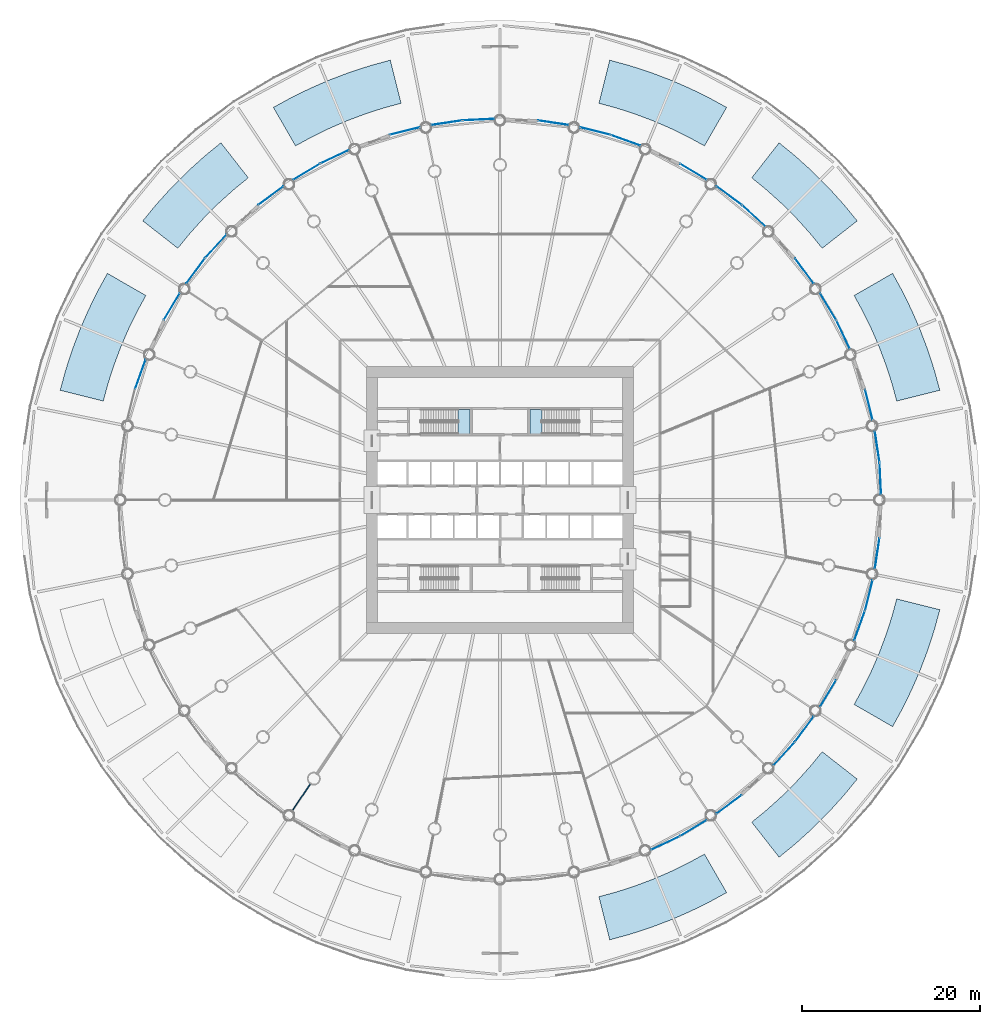
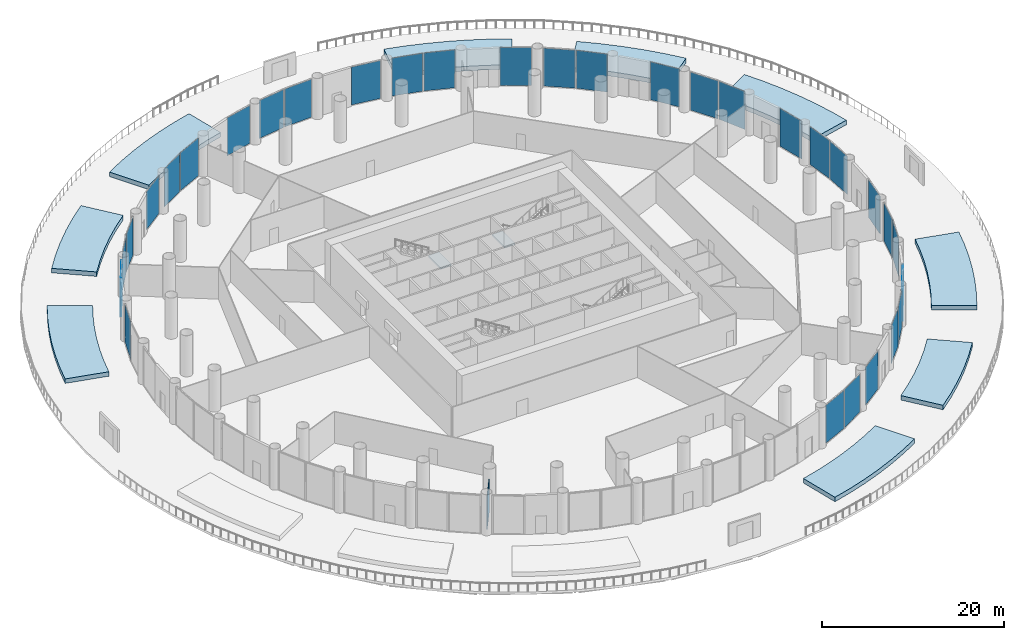
# One storey, part 26 of 36: 31 plates, 11 slabs, 1 wall, 33 elements without a shape of their own.
"""IFC4 building model written with IfcOpenShell, lengths in metres."""

import ifcopenshell
import ifcopenshell.guid

model = None  # the IFC model being written
_history = None  # IfcOwnerHistory: only IFC2X3 demands one
_inside = {}  # id of a spatial element -> (the spatial element, [elements in it])
_under = {}  # id of a project, library or spatial element -> (it, [spatial elements below it])
_declared = {}  # id of a project -> (the project, [libraries it declares])
_typed = {}  # id of a type object -> (the type object, [elements of that type])
_made_of = {}  # id of a material, layer set ... -> (it, [elements and type objects made of it])


def new_model(schema):
    """Start an empty IFC model of exactly this schema.

    Asked for "IFC4X3", IfcOpenShell would pick the latest addendum, in which some entities
    have other attributes; the version numbers below select the first issue.
    IFC2X3 requires an IfcOwnerHistory on every rooted entity: one is made here for all.
    """
    global model, _history
    if schema == "IFC4X3":
        model = ifcopenshell.file(schema_version=(4, 3, 0, 0))
    else:
        model = ifcopenshell.file(schema=schema)
    _inside.clear()
    _under.clear()
    _declared.clear()
    _typed.clear()
    _made_of.clear()
    _history = None
    if model.schema == "IFC2X3":
        org = make("IfcOrganization", Name="unknown")
        user = make(
            "IfcPersonAndOrganization",
            ThePerson=make("IfcPerson", FamilyName="unknown"),
            TheOrganization=org,
        )
        app = make(
            "IfcApplication",
            ApplicationDeveloper=org,
            Version="unknown",
            ApplicationFullName="unknown",
            ApplicationIdentifier="unknown",
        )
        _history = make(
            "IfcOwnerHistory",
            OwningUser=user,
            OwningApplication=app,
            ChangeAction="ADDED",
            CreationDate=0,
        )
    return model


def make(cls, **values):
    """One entity of the class cls with the attributes given. An attribute that is None is left unset."""
    return model.create_entity(
        cls, **{name: value for name, value in values.items() if value is not None}
    )


def rooted(cls, **values):
    """An entity with a GlobalId (a new one), such as an element, a storey or a relation."""
    return make(cls, GlobalId=ifcopenshell.guid.new(), OwnerHistory=_history, **values)


def si_unit(unit_type, name, prefix=None):
    """IfcSIUnit, for example si_unit("LENGTHUNIT", "METRE", prefix="MILLI")."""
    return make("IfcSIUnit", UnitType=unit_type, Prefix=prefix, Name=name)


def assignment(units):
    """IfcUnitAssignment: the units of a project."""
    return None if units is None else make("IfcUnitAssignment", Units=units)


def point(xyz):
    """IfcCartesianPoint."""
    return None if xyz is None else make("IfcCartesianPoint", Coordinates=xyz)


def direction(xyz):
    """IfcDirection."""
    return None if xyz is None else make("IfcDirection", DirectionRatios=xyz)


def frame(location, z_axis=None, x_axis=None):
    """IfcAxis2Placement3D, a coordinate frame: its origin and axes. An axis left out is left unset."""
    return make(
        "IfcAxis2Placement3D",
        Location=point(location),
        Axis=direction(z_axis),
        RefDirection=direction(x_axis),
    )


def frame_2d(location, x_axis=None):
    """IfcAxis2Placement2D, a coordinate frame in the plane: its origin and x axis."""
    return make(
        "IfcAxis2Placement2D", Location=point(location), RefDirection=direction(x_axis)
    )


def origin():
    """The frame at (0, 0, 0) with its axes left unset."""
    return frame((0.0, 0.0, 0.0))


def origin_2d():
    """The frame at (0, 0) in the plane with its x axis left unset."""
    return frame_2d((0.0, 0.0))


def place(relative_to, where):
    """IfcLocalPlacement: puts the frame where relative to a parent placement (None: the world)."""
    return make(
        "IfcLocalPlacement", PlacementRelTo=relative_to, RelativePlacement=where
    )


def context(
    kind, dimensions, precision=None, world=None, true_north=None, identifier=None
):
    """IfcGeometricRepresentationContext, for example the 3D "Model" context."""
    return make(
        "IfcGeometricRepresentationContext",
        ContextIdentifier=identifier,
        ContextType=kind,
        CoordinateSpaceDimension=dimensions,
        Precision=precision,
        WorldCoordinateSystem=world,
        TrueNorth=true_north,
    )


def subcontext(parent, identifier, kind, view, scale=None):
    """IfcGeometricRepresentationSubContext, for example "Body" below "Model"."""
    return make(
        "IfcGeometricRepresentationSubContext",
        ContextIdentifier=identifier,
        ContextType=kind,
        ParentContext=parent,
        TargetScale=scale,
        TargetView=view,
    )


def project(units=None, contexts=None):
    """IfcProject with its units and contexts."""
    return rooted(
        "IfcProject",
        Name="project",
        RepresentationContexts=contexts,
        UnitsInContext=assignment(units),
    )


def spatial(cls, under=None, at=None, **own):
    """A site, building, storey or space (cls), placed at a placement, below another one or the project."""
    s = rooted(cls, ObjectPlacement=at, **own)
    if under is not None:
        _under.setdefault(under.id(), (under, []))[1].append(s)
    return s


def polyline(points):
    """IfcPolyline through the points."""
    return make("IfcPolyline", Points=[point(p) for p in points])


def profile(cls, at=None, kind="AREA", **sizes):
    """A parametric profile (cls). Its sizes go by their IFC names, for example OverallWidth=200.0."""
    return make(cls, ProfileType=kind, Position=at, **sizes)


def rectangle(**sizes):
    """IfcRectangleProfileDef."""
    return profile("IfcRectangleProfileDef", **sizes)


def outline(outer, holes=None, kind="AREA"):
    """IfcArbitraryClosedProfileDef: a profile drawn as a closed curve; with holes, ...WithVoids."""
    if holes is None:
        return make("IfcArbitraryClosedProfileDef", ProfileType=kind, OuterCurve=outer)
    return make(
        "IfcArbitraryProfileDefWithVoids",
        ProfileType=kind,
        OuterCurve=outer,
        InnerCurves=holes,
    )


def extrude(swept, where, along, depth):
    """IfcExtrudedAreaSolid: the profile swept, set in the frame where, extruded along a direction by depth."""
    return make(
        "IfcExtrudedAreaSolid",
        SweptArea=swept,
        Position=where,
        ExtrudedDirection=direction(along),
        Depth=depth,
    )


def shape(context_of_items, identifier, shape_type, items):
    """IfcShapeRepresentation: the items that make up one representation, for example the "Body"."""
    return make(
        "IfcShapeRepresentation",
        ContextOfItems=context_of_items,
        RepresentationIdentifier=identifier,
        RepresentationType=shape_type,
        Items=items,
    )


def material(Name=None, Category=None):
    """IfcMaterial."""
    return make("IfcMaterial", Name=Name, Category=Category)


def layer(
    of_material, thickness, ventilated=None, Name=None, Category=None, Priority=None
):
    """IfcMaterialLayer: one layer of a wall or slab, of a material (None: an air gap)."""
    return make(
        "IfcMaterialLayer",
        Material=of_material,
        LayerThickness=thickness,
        IsVentilated=ventilated,
        Name=Name,
        Category=Category,
        Priority=Priority,
    )


def layer_set(layers, Name=None):
    """IfcMaterialLayerSet."""
    return make("IfcMaterialLayerSet", MaterialLayers=layers, LayerSetName=Name)


def made_of(thing, what):
    """Note that an element or type object is made of a material, layer set ...; save() writes the relation."""
    if what is not None:
        _made_of.setdefault(what.id(), (what, []))[1].append(thing)
    return thing


def type_object(cls, material=None, **own):
    """A type object (cls), such as IfcWallType, which elements share."""
    return made_of(rooted(cls, **own), material)


def element(
    cls,
    number,
    at=None,
    inside=None,
    cuts=None,
    type_object=None,
    material=None,
    context=None,
    identifier="Body",
    shape_type=None,
    held_by="IfcProductDefinitionShape",
    body=None,
    shapes=None,
    **own,
):
    """One element of the class cls, such as IfcWall. Its Tag is "e" and its number.

    at: its placement. inside: the storey or other place that contains it. cuts: it is an
    opening in that element (IfcRelVoidsElement). A single representation is given by context,
    identifier, shape_type and body (its items); several are given by shapes. held_by: the class
    of the entity that holds the representations. save() writes the other relations.
    """
    e = rooted(cls, Tag="e%d" % number, ObjectPlacement=at, **own)
    if body is not None:
        shapes = [shape(context, identifier, shape_type, body)]
    if shapes is not None:
        e.Representation = make(held_by, Representations=shapes)
    if inside is not None:
        _inside.setdefault(inside.id(), (inside, []))[1].append(e)
    if cuts is not None:
        rooted(
            "IfcRelVoidsElement", RelatingBuildingElement=cuts, RelatedOpeningElement=e
        )
    if type_object is not None:
        _typed.setdefault(type_object.id(), (type_object, []))[1].append(e)
    return made_of(e, material)


def aggregate(whole, parts):
    """IfcRelAggregates: a whole, such as a stair, and the parts it consists of."""
    return rooted("IfcRelAggregates", RelatingObject=whole, RelatedObjects=parts)


def save(model, path):
    """Write the relations noted so far, then the file.

    IfcRelAggregates (storeys below a building ...), IfcRelContainedInSpatialStructure (elements
    in a storey), IfcRelDefinesByType, IfcRelAssociatesMaterial and IfcRelDeclares: one each for
    every whole, place, type object, material and project.
    """
    for whole, parts in _under.values():
        aggregate(whole, parts)
    for where, things in _inside.values():
        rooted(
            "IfcRelContainedInSpatialStructure",
            RelatedElements=things,
            RelatingStructure=where,
        )
    for kind, things in _typed.values():
        rooted("IfcRelDefinesByType", RelatedObjects=things, RelatingType=kind)
    for what, things in _made_of.values():
        rooted("IfcRelAssociatesMaterial", RelatedObjects=things, RelatingMaterial=what)
    for by, libraries in _declared.values():
        rooted("IfcRelDeclares", RelatingContext=by, RelatedDefinitions=libraries)
    model.write(path)


model = new_model("IFC4")

# Units and contexts
model_context = context("Model", 3, precision=1e-05, world=origin(), true_north=direction((0.0, 1.0)))
body_context = subcontext(model_context, "Body", "Model", "MODEL_VIEW")
ifc_project = project(units=[si_unit("LENGTHUNIT", "METRE"), si_unit("AREAUNIT", "SQUARE_METRE"), si_unit("VOLUMEUNIT", "CUBIC_METRE"), si_unit("PLANEANGLEUNIT", "RADIAN"), si_unit("MASSUNIT", "GRAM", prefix="KILO")], contexts=[model_context])

# Site, building, storey
site_placement = place(None, origin())
site = spatial("IfcSite", under=ifc_project, at=site_placement, CompositionType="ELEMENT")
building_placement = place(site_placement, origin())
building = spatial("IfcBuilding", under=site, at=building_placement, Name="Corvane Civic Tower", CompositionType="ELEMENT")
storey_placement = place(building_placement, frame((0.0, 0.0, 6.0)))
storey = spatial("IfcBuildingStorey", under=building, at=storey_placement, Name="L01", CompositionType="ELEMENT", Elevation=6.0)

# Curtain wall, plate
ifc_material_1 = material(Name="Aluminium and glass", Category="aluminium")
curtain_wall_type = type_object("IfcCurtainWallType", Name="PODIUM-CW-P-RUN", PredefinedType="NOTDEFINED", material=ifc_material_1)
curtain_wall_1_placement = place(storey_placement, origin())
curtain_wall_1 = element("IfcCurtainWall", 1, at=curtain_wall_1_placement, inside=storey, type_object=curtain_wall_type, Name="PODI run L01-drum-01B", PredefinedType="NOTDEFINED")
ifc_material_2 = material(Name="Glass tinted low-e laminated", Category="glass")
ifc_layer_1 = layer(ifc_material_2, 0.031982421875)
ifc_layer_set_1 = layer_set([ifc_layer_1], Name="Glass tinted low-e laminated")
plate_type = type_object("IfcPlateType", Name="PODIUM-CWP-PANEL-IGU32", PredefinedType="CURTAIN_PANEL", material=ifc_layer_set_1)
plate_1_placement = place(storey_placement, frame((5.991943359375, 42.4384765625, 0.06005859375), z_axis=(0.0, 0.0, 1.0), x_axis=(0.989178850608, -0.146714694252, 0.0)))
plate_1 = element("IfcPlate", 2, at=plate_1_placement, type_object=plate_type, Name="CW-P panel 1.1", PredefinedType="CURTAIN_PANEL", context=body_context, shape_type="SweptSolid", body=[
    extrude(rectangle(XDim=3.459716796875, YDim=0.031982421875, at=origin_2d()), origin(), (0.0, 0.0, 1.0), 5.080078125),
])
aggregate(curtain_wall_1, [plate_1])

curtain_wall_2_placement = place(storey_placement, origin())
curtain_wall_2 = element("IfcCurtainWall", 3, at=curtain_wall_2_placement, inside=storey, type_object=curtain_wall_type, Name="PODI run L01-drum-02A", PredefinedType="NOTDEFINED")
plate_2_placement = place(storey_placement, frame((10.70458984375, 41.5009765625, 0.06005859375), z_axis=(0.0, 0.0, 1.0), x_axis=(0.970024070659, -0.243008852393, 0.0)))
plate_2 = element("IfcPlate", 4, at=plate_2_placement, type_object=plate_type, Name="CW-P panel 1.1", PredefinedType="CURTAIN_PANEL", context=body_context, shape_type="SweptSolid", body=[
    extrude(rectangle(XDim=3.459716796875, YDim=0.031982421875, at=origin_2d()), origin(), (0.0, 0.0, 1.0), 5.080078125),
])
aggregate(curtain_wall_2, [plate_2])

curtain_wall_3_placement = place(storey_placement, origin())
curtain_wall_3 = element("IfcCurtainWall", 5, at=curtain_wall_3_placement, inside=storey, type_object=curtain_wall_type, Name="PODI run L01-drum-02B", PredefinedType="NOTDEFINED")
plate_3_placement = place(storey_placement, frame((14.156005859375, 40.453857421875, 0.06005859375), z_axis=(0.0, 0.0, 1.0), x_axis=(0.941533802561, -0.336918534123, 0.0)))
plate_3 = element("IfcPlate", 6, at=plate_3_placement, type_object=plate_type, Name="CW-P panel 1.1", PredefinedType="CURTAIN_PANEL", context=body_context, shape_type="SweptSolid", body=[
    extrude(rectangle(XDim=3.459716796875, YDim=0.031982421875, at=origin_2d()), origin(), (0.0, 0.0, 1.0), 5.080078125),
])
aggregate(curtain_wall_3, [plate_3])

curtain_wall_4_placement = place(storey_placement, origin())
curtain_wall_4 = element("IfcCurtainWall", 7, at=curtain_wall_4_placement, inside=storey, type_object=curtain_wall_type, Name="PODI run L01-drum-03B", PredefinedType="NOTDEFINED")
plate_4_placement = place(storey_placement, frame((21.776123046875, 36.914794921875, 0.06005859375), z_axis=(0.0, 0.0, 1.0), x_axis=(0.857719609779, -0.514117759857, 0.0)))
plate_4 = element("IfcPlate", 8, at=plate_4_placement, type_object=plate_type, Name="CW-P panel 1.1", PredefinedType="CURTAIN_PANEL", context=body_context, shape_type="SweptSolid", body=[
    extrude(rectangle(XDim=3.459716796875, YDim=0.031982421875, at=origin_2d()), origin(), (0.0, 0.0, 1.0), 5.080078125),
])
aggregate(curtain_wall_4, [plate_4])

curtain_wall_5_placement = place(storey_placement, origin())
curtain_wall_5 = element("IfcCurtainWall", 9, at=curtain_wall_5_placement, inside=storey, type_object=curtain_wall_type, Name="PODI run L01-drum-04A", PredefinedType="NOTDEFINED")
plate_5_placement = place(storey_placement, frame((25.771484375, 34.245361328125, 0.06005859375), z_axis=(0.0, 0.0, 1.0), x_axis=(0.803203229747, -0.595705104665, 0.0)))
plate_5 = element("IfcPlate", 10, at=plate_5_placement, type_object=plate_type, Name="CW-P panel 1.1", PredefinedType="CURTAIN_PANEL", context=body_context, shape_type="SweptSolid", body=[
    extrude(rectangle(XDim=3.459716796875, YDim=0.031982421875, at=origin_2d()), origin(), (0.0, 0.0, 1.0), 5.080078125),
])
aggregate(curtain_wall_5, [plate_5])

curtain_wall_6_placement = place(storey_placement, origin())
curtain_wall_6 = element("IfcCurtainWall", 11, at=curtain_wall_6_placement, inside=storey, type_object=curtain_wall_type, Name="PODI run L01-drum-04B", PredefinedType="NOTDEFINED")
plate_6_placement = place(storey_placement, frame((28.5595703125, 31.957275390625, 0.06005859375), z_axis=(0.0, 0.0, 1.0), x_axis=(0.740935261089, -0.671576457952, 0.0)))
plate_6 = element("IfcPlate", 12, at=plate_6_placement, type_object=plate_type, Name="CW-P panel 1.1", PredefinedType="CURTAIN_PANEL", context=body_context, shape_type="SweptSolid", body=[
    extrude(rectangle(XDim=3.4599609375, YDim=0.031982421875, at=origin_2d()), origin(), (0.0, 0.0, 1.0), 5.080078125),
])
aggregate(curtain_wall_6, [plate_6])

curtain_wall_7_placement = place(storey_placement, origin())
curtain_wall_7 = element("IfcCurtainWall", 13, at=curtain_wall_7_placement, inside=storey, type_object=curtain_wall_type, Name="PODI run L01-drum-05B", PredefinedType="NOTDEFINED")
plate_7_placement = place(storey_placement, frame((34.245361328125, 25.771484375, 0.06005859375), z_axis=(0.0, 0.0, 1.0), x_axis=(0.595705104665, -0.803203229747, 0.0)))
plate_7 = element("IfcPlate", 14, at=plate_7_placement, type_object=plate_type, Name="CW-P panel 1.1", PredefinedType="CURTAIN_PANEL", context=body_context, shape_type="SweptSolid", body=[
    extrude(rectangle(XDim=3.459716796875, YDim=0.031982421875, at=origin_2d()), origin(), (0.0, 0.0, 1.0), 5.080078125),
])
aggregate(curtain_wall_7, [plate_7])

curtain_wall_8_placement = place(storey_placement, origin())
curtain_wall_8 = element("IfcCurtainWall", 15, at=curtain_wall_8_placement, inside=storey, type_object=curtain_wall_type, Name="PODI run L01-drum-06A", PredefinedType="NOTDEFINED")
plate_8_placement = place(storey_placement, frame((36.914794921875, 21.776123046875, 0.06005859375), z_axis=(0.0, 0.0, 1.0), x_axis=(0.514117759857, -0.857719609779, 0.0)))
plate_8 = element("IfcPlate", 16, at=plate_8_placement, type_object=plate_type, Name="CW-P panel 1.1", PredefinedType="CURTAIN_PANEL", context=body_context, shape_type="SweptSolid", body=[
    extrude(rectangle(XDim=3.459716796875, YDim=0.031982421875, at=origin_2d()), origin(), (0.0, 0.0, 1.0), 5.080078125),
])
aggregate(curtain_wall_8, [plate_8])

curtain_wall_9_placement = place(storey_placement, origin())
curtain_wall_9 = element("IfcCurtainWall", 17, at=curtain_wall_9_placement, inside=storey, type_object=curtain_wall_type, Name="PODI run L01-drum-06B", PredefinedType="NOTDEFINED")
plate_9_placement = place(storey_placement, frame((38.614990234375, 18.595458984375, 0.06005859375), z_axis=(0.0, 0.0, 1.0), x_axis=(0.42755312852, -0.903990222454, 0.0)))
plate_9 = element("IfcPlate", 18, at=plate_9_placement, type_object=plate_type, Name="CW-P panel 1.1", PredefinedType="CURTAIN_PANEL", context=body_context, shape_type="SweptSolid", body=[
    extrude(rectangle(XDim=3.4599609375, YDim=0.031982421875, at=origin_2d()), origin(), (0.0, 0.0, 1.0), 5.080078125),
])
aggregate(curtain_wall_9, [plate_9])

curtain_wall_10_placement = place(storey_placement, origin())
curtain_wall_10 = element("IfcCurtainWall", 19, at=curtain_wall_10_placement, inside=storey, type_object=curtain_wall_type, Name="PODI run L01-drum-07B", PredefinedType="NOTDEFINED")
plate_10_placement = place(storey_placement, frame((41.5009765625, 10.70458984375, 0.06005859375), z_axis=(0.0, 0.0, 1.0), x_axis=(0.243008852393, -0.970024070659, 0.0)))
plate_10 = element("IfcPlate", 20, at=plate_10_placement, type_object=plate_type, Name="CW-P panel 1.1", PredefinedType="CURTAIN_PANEL", context=body_context, shape_type="SweptSolid", body=[
    extrude(rectangle(XDim=3.459716796875, YDim=0.031982421875, at=origin_2d()), origin(), (0.0, 0.0, 1.0), 5.080078125),
])
aggregate(curtain_wall_10, [plate_10])

curtain_wall_11_placement = place(storey_placement, origin())
curtain_wall_11 = element("IfcCurtainWall", 21, at=curtain_wall_11_placement, inside=storey, type_object=curtain_wall_type, Name="PODI run L01-drum-08A", PredefinedType="NOTDEFINED")
plate_11_placement = place(storey_placement, frame((42.4384765625, 5.991943359375, 0.06005859375), z_axis=(0.0, 0.0, 1.0), x_axis=(0.146714694252, -0.989178850608, 0.0)))
plate_11 = element("IfcPlate", 22, at=plate_11_placement, type_object=plate_type, Name="CW-P panel 1.1", PredefinedType="CURTAIN_PANEL", context=body_context, shape_type="SweptSolid", body=[
    extrude(rectangle(XDim=3.459716796875, YDim=0.031982421875, at=origin_2d()), origin(), (0.0, 0.0, 1.0), 5.080078125),
])
aggregate(curtain_wall_11, [plate_11])

curtain_wall_12_placement = place(storey_placement, origin())
curtain_wall_12 = element("IfcCurtainWall", 23, at=curtain_wall_12_placement, inside=storey, type_object=curtain_wall_type, Name="PODI run L01-drum-08B", PredefinedType="NOTDEFINED")
plate_12_placement = place(storey_placement, frame((42.7919921875, 2.402587890625, 0.06005859375), z_axis=(0.0, 0.0, 1.0), x_axis=(0.04905015332, -0.998796316803, 0.0)))
plate_12 = element("IfcPlate", 24, at=plate_12_placement, type_object=plate_type, Name="CW-P panel 1.1", PredefinedType="CURTAIN_PANEL", context=body_context, shape_type="SweptSolid", body=[
    extrude(rectangle(XDim=3.4599609375, YDim=0.031982421875, at=origin_2d()), origin(), (0.0, 0.0, 1.0), 5.080078125),
])
aggregate(curtain_wall_12, [plate_12])

curtain_wall_13_placement = place(storey_placement, origin())
curtain_wall_13 = element("IfcCurtainWall", 25, at=curtain_wall_13_placement, inside=storey, type_object=curtain_wall_type, Name="PODI run L01-drum-09B", PredefinedType="NOTDEFINED")
plate_13_placement = place(storey_placement, frame((42.4384765625, -5.991943359375, 0.06005859375), z_axis=(0.0, 0.0, 1.0), x_axis=(-0.146714694252, -0.989178850608, 0.0)))
plate_13 = element("IfcPlate", 26, at=plate_13_placement, type_object=plate_type, Name="CW-P panel 1.1", PredefinedType="CURTAIN_PANEL", context=body_context, shape_type="SweptSolid", body=[
    extrude(rectangle(XDim=3.459716796875, YDim=0.031982421875, at=origin_2d()), origin(), (0.0, 0.0, 1.0), 5.080078125),
])
aggregate(curtain_wall_13, [plate_13])

curtain_wall_14_placement = place(storey_placement, origin())
curtain_wall_14 = element("IfcCurtainWall", 27, at=curtain_wall_14_placement, inside=storey, type_object=curtain_wall_type, Name="PODI run L01-drum-10A", PredefinedType="NOTDEFINED")
plate_14_placement = place(storey_placement, frame((41.5009765625, -10.70458984375, 0.06005859375), z_axis=(0.0, 0.0, 1.0), x_axis=(-0.243008852393, -0.970024070659, 0.0)))
plate_14 = element("IfcPlate", 28, at=plate_14_placement, type_object=plate_type, Name="CW-P panel 1.1", PredefinedType="CURTAIN_PANEL", context=body_context, shape_type="SweptSolid", body=[
    extrude(rectangle(XDim=3.459716796875, YDim=0.031982421875, at=origin_2d()), origin(), (0.0, 0.0, 1.0), 5.080078125),
])
aggregate(curtain_wall_14, [plate_14])

curtain_wall_15_placement = place(storey_placement, origin())
curtain_wall_15 = element("IfcCurtainWall", 29, at=curtain_wall_15_placement, inside=storey, type_object=curtain_wall_type, Name="PODI run L01-drum-10B", PredefinedType="NOTDEFINED")
plate_15_placement = place(storey_placement, frame((40.453857421875, -14.156005859375, 0.06005859375), z_axis=(0.0, 0.0, 1.0), x_axis=(-0.336918534123, -0.941533802561, 0.0)))
plate_15 = element("IfcPlate", 30, at=plate_15_placement, type_object=plate_type, Name="CW-P panel 1.1", PredefinedType="CURTAIN_PANEL", context=body_context, shape_type="SweptSolid", body=[
    extrude(rectangle(XDim=3.459716796875, YDim=0.031982421875, at=origin_2d()), origin(), (0.0, 0.0, 1.0), 5.080078125),
])
aggregate(curtain_wall_15, [plate_15])

curtain_wall_16_placement = place(storey_placement, origin())
curtain_wall_16 = element("IfcCurtainWall", 31, at=curtain_wall_16_placement, inside=storey, type_object=curtain_wall_type, Name="PODI run L01-drum-11B", PredefinedType="NOTDEFINED")
plate_16_placement = place(storey_placement, frame((36.914794921875, -21.776123046875, 0.06005859375), z_axis=(0.0, 0.0, 1.0), x_axis=(-0.514117759857, -0.857719609779, 0.0)))
plate_16 = element("IfcPlate", 32, at=plate_16_placement, type_object=plate_type, Name="CW-P panel 1.1", PredefinedType="CURTAIN_PANEL", context=body_context, shape_type="SweptSolid", body=[
    extrude(rectangle(XDim=3.459716796875, YDim=0.031982421875, at=origin_2d()), origin(), (0.0, 0.0, 1.0), 5.080078125),
])
aggregate(curtain_wall_16, [plate_16])

curtain_wall_17_placement = place(storey_placement, origin())
curtain_wall_17 = element("IfcCurtainWall", 33, at=curtain_wall_17_placement, inside=storey, type_object=curtain_wall_type, Name="PODI run L01-drum-12A", PredefinedType="NOTDEFINED")
plate_17_placement = place(storey_placement, frame((34.245361328125, -25.771484375, 0.06005859375), z_axis=(0.0, 0.0, 1.0), x_axis=(-0.595705104665, -0.803203229747, 0.0)))
plate_17 = element("IfcPlate", 34, at=plate_17_placement, type_object=plate_type, Name="CW-P panel 1.1", PredefinedType="CURTAIN_PANEL", context=body_context, shape_type="SweptSolid", body=[
    extrude(rectangle(XDim=3.459716796875, YDim=0.031982421875, at=origin_2d()), origin(), (0.0, 0.0, 1.0), 5.080078125),
])
aggregate(curtain_wall_17, [plate_17])

curtain_wall_18_placement = place(storey_placement, origin())
curtain_wall_18 = element("IfcCurtainWall", 35, at=curtain_wall_18_placement, inside=storey, type_object=curtain_wall_type, Name="PODI run L01-drum-12B", PredefinedType="NOTDEFINED")
plate_18_placement = place(storey_placement, frame((31.957275390625, -28.5595703125, 0.06005859375), z_axis=(0.0, 0.0, 1.0), x_axis=(-0.671576457952, -0.740935261089, 0.0)))
plate_18 = element("IfcPlate", 36, at=plate_18_placement, type_object=plate_type, Name="CW-P panel 1.1", PredefinedType="CURTAIN_PANEL", context=body_context, shape_type="SweptSolid", body=[
    extrude(rectangle(XDim=3.4599609375, YDim=0.031982421875, at=origin_2d()), origin(), (0.0, 0.0, 1.0), 5.080078125),
])
aggregate(curtain_wall_18, [plate_18])

curtain_wall_19_placement = place(storey_placement, origin())
curtain_wall_19 = element("IfcCurtainWall", 37, at=curtain_wall_19_placement, inside=storey, type_object=curtain_wall_type, Name="PODI run L01-drum-13B", PredefinedType="NOTDEFINED")
plate_19_placement = place(storey_placement, frame((25.771484375, -34.245361328125, 0.06005859375), z_axis=(0.0, 0.0, 1.0), x_axis=(-0.803203229747, -0.595705104665, 0.0)))
plate_19 = element("IfcPlate", 38, at=plate_19_placement, type_object=plate_type, Name="CW-P panel 1.1", PredefinedType="CURTAIN_PANEL", context=body_context, shape_type="SweptSolid", body=[
    extrude(rectangle(XDim=3.459716796875, YDim=0.031982421875, at=origin_2d()), origin(), (0.0, 0.0, 1.0), 5.080078125),
])
aggregate(curtain_wall_19, [plate_19])

curtain_wall_20_placement = place(storey_placement, origin())
curtain_wall_20 = element("IfcCurtainWall", 39, at=curtain_wall_20_placement, inside=storey, type_object=curtain_wall_type, Name="PODI run L01-drum-14A", PredefinedType="NOTDEFINED")
plate_20_placement = place(storey_placement, frame((21.776123046875, -36.914794921875, 0.06005859375), z_axis=(0.0, 0.0, 1.0), x_axis=(-0.857719609779, -0.514117759857, 0.0)))
plate_20 = element("IfcPlate", 40, at=plate_20_placement, type_object=plate_type, Name="CW-P panel 1.1", PredefinedType="CURTAIN_PANEL", context=body_context, shape_type="SweptSolid", body=[
    extrude(rectangle(XDim=3.459716796875, YDim=0.031982421875, at=origin_2d()), origin(), (0.0, 0.0, 1.0), 5.080078125),
])
aggregate(curtain_wall_20, [plate_20])

curtain_wall_21_placement = place(storey_placement, origin())
curtain_wall_21 = element("IfcCurtainWall", 41, at=curtain_wall_21_placement, inside=storey, type_object=curtain_wall_type, Name="PODI run L01-drum-14B", PredefinedType="NOTDEFINED")
plate_21_placement = place(storey_placement, frame((18.595458984375, -38.614990234375, 0.06005859375), z_axis=(0.0, 0.0, 1.0), x_axis=(-0.903990222454, -0.42755312852, 0.0)))
plate_21 = element("IfcPlate", 42, at=plate_21_placement, type_object=plate_type, Name="CW-P panel 1.1", PredefinedType="CURTAIN_PANEL", context=body_context, shape_type="SweptSolid", body=[
    extrude(rectangle(XDim=3.4599609375, YDim=0.031982421875, at=origin_2d()), origin(), (0.0, 0.0, 1.0), 5.080078125),
])
aggregate(curtain_wall_21, [plate_21])

curtain_wall_22_placement = place(storey_placement, origin())
curtain_wall_22 = element("IfcCurtainWall", 43, at=curtain_wall_22_placement, inside=storey, type_object=curtain_wall_type, Name="PODI run L01-drum-26B", PredefinedType="NOTDEFINED")
plate_22_placement = place(storey_placement, frame((-40.453857421875, 14.156005859375, 0.06005859375), z_axis=(0.0, 0.0, 1.0), x_axis=(0.336918534123, 0.941533802561, 0.0)))
plate_22 = element("IfcPlate", 44, at=plate_22_placement, type_object=plate_type, Name="CW-P panel 1.1", PredefinedType="CURTAIN_PANEL", context=body_context, shape_type="SweptSolid", body=[
    extrude(rectangle(XDim=3.459716796875, YDim=0.031982421875, at=origin_2d()), origin(), (0.0, 0.0, 1.0), 5.080078125),
])
aggregate(curtain_wall_22, [plate_22])

curtain_wall_23_placement = place(storey_placement, origin())
curtain_wall_23 = element("IfcCurtainWall", 45, at=curtain_wall_23_placement, inside=storey, type_object=curtain_wall_type, Name="PODI run L01-drum-27B", PredefinedType="NOTDEFINED")
plate_23_placement = place(storey_placement, frame((-36.914794921875, 21.776123046875, 0.06005859375), z_axis=(0.0, 0.0, 1.0), x_axis=(0.514117759857, 0.857719609779, 0.0)))
plate_23 = element("IfcPlate", 46, at=plate_23_placement, type_object=plate_type, Name="CW-P panel 1.1", PredefinedType="CURTAIN_PANEL", context=body_context, shape_type="SweptSolid", body=[
    extrude(rectangle(XDim=3.459716796875, YDim=0.031982421875, at=origin_2d()), origin(), (0.0, 0.0, 1.0), 5.080078125),
])
aggregate(curtain_wall_23, [plate_23])

curtain_wall_24_placement = place(storey_placement, origin())
curtain_wall_24 = element("IfcCurtainWall", 47, at=curtain_wall_24_placement, inside=storey, type_object=curtain_wall_type, Name="PODI run L01-drum-28A", PredefinedType="NOTDEFINED")
plate_24_placement = place(storey_placement, frame((-34.245361328125, 25.771484375, 0.06005859375), z_axis=(0.0, 0.0, 1.0), x_axis=(0.595705104665, 0.803203229747, 0.0)))
plate_24 = element("IfcPlate", 48, at=plate_24_placement, type_object=plate_type, Name="CW-P panel 1.1", PredefinedType="CURTAIN_PANEL", context=body_context, shape_type="SweptSolid", body=[
    extrude(rectangle(XDim=3.459716796875, YDim=0.031982421875, at=origin_2d()), origin(), (0.0, 0.0, 1.0), 5.080078125),
])
aggregate(curtain_wall_24, [plate_24])

curtain_wall_25_placement = place(storey_placement, origin())
curtain_wall_25 = element("IfcCurtainWall", 49, at=curtain_wall_25_placement, inside=storey, type_object=curtain_wall_type, Name="PODI run L01-drum-28B", PredefinedType="NOTDEFINED")
plate_25_placement = place(storey_placement, frame((-31.957275390625, 28.5595703125, 0.06005859375), z_axis=(0.0, 0.0, 1.0), x_axis=(0.671576457952, 0.740935261089, 0.0)))
plate_25 = element("IfcPlate", 50, at=plate_25_placement, type_object=plate_type, Name="CW-P panel 1.1", PredefinedType="CURTAIN_PANEL", context=body_context, shape_type="SweptSolid", body=[
    extrude(rectangle(XDim=3.4599609375, YDim=0.031982421875, at=origin_2d()), origin(), (0.0, 0.0, 1.0), 5.080078125),
])
aggregate(curtain_wall_25, [plate_25])

curtain_wall_26_placement = place(storey_placement, origin())
curtain_wall_26 = element("IfcCurtainWall", 51, at=curtain_wall_26_placement, inside=storey, type_object=curtain_wall_type, Name="PODI run L01-drum-29B", PredefinedType="NOTDEFINED")
plate_26_placement = place(storey_placement, frame((-25.771484375, 34.245361328125, 0.06005859375), z_axis=(0.0, 0.0, 1.0), x_axis=(0.803203229747, 0.595705104665, 0.0)))
plate_26 = element("IfcPlate", 52, at=plate_26_placement, type_object=plate_type, Name="CW-P panel 1.1", PredefinedType="CURTAIN_PANEL", context=body_context, shape_type="SweptSolid", body=[
    extrude(rectangle(XDim=3.459716796875, YDim=0.031982421875, at=origin_2d()), origin(), (0.0, 0.0, 1.0), 5.080078125),
])
aggregate(curtain_wall_26, [plate_26])

curtain_wall_27_placement = place(storey_placement, origin())
curtain_wall_27 = element("IfcCurtainWall", 53, at=curtain_wall_27_placement, inside=storey, type_object=curtain_wall_type, Name="PODI run L01-drum-30A", PredefinedType="NOTDEFINED")
plate_27_placement = place(storey_placement, frame((-21.776123046875, 36.914794921875, 0.06005859375), z_axis=(0.0, 0.0, 1.0), x_axis=(0.857719609779, 0.514117759857, 0.0)))
plate_27 = element("IfcPlate", 54, at=plate_27_placement, type_object=plate_type, Name="CW-P panel 1.1", PredefinedType="CURTAIN_PANEL", context=body_context, shape_type="SweptSolid", body=[
    extrude(rectangle(XDim=3.459716796875, YDim=0.031982421875, at=origin_2d()), origin(), (0.0, 0.0, 1.0), 5.080078125),
])
aggregate(curtain_wall_27, [plate_27])

curtain_wall_28_placement = place(storey_placement, origin())
curtain_wall_28 = element("IfcCurtainWall", 55, at=curtain_wall_28_placement, inside=storey, type_object=curtain_wall_type, Name="PODI run L01-drum-30B", PredefinedType="NOTDEFINED")
plate_28_placement = place(storey_placement, frame((-18.595458984375, 38.614990234375, 0.06005859375), z_axis=(0.0, 0.0, 1.0), x_axis=(0.903990222454, 0.42755312852, 0.0)))
plate_28 = element("IfcPlate", 56, at=plate_28_placement, type_object=plate_type, Name="CW-P panel 1.1", PredefinedType="CURTAIN_PANEL", context=body_context, shape_type="SweptSolid", body=[
    extrude(rectangle(XDim=3.4599609375, YDim=0.031982421875, at=origin_2d()), origin(), (0.0, 0.0, 1.0), 5.080078125),
])
aggregate(curtain_wall_28, [plate_28])

curtain_wall_29_placement = place(storey_placement, origin())
curtain_wall_29 = element("IfcCurtainWall", 57, at=curtain_wall_29_placement, inside=storey, type_object=curtain_wall_type, Name="PODI run L01-drum-31B", PredefinedType="NOTDEFINED")
plate_29_placement = place(storey_placement, frame((-10.70458984375, 41.5009765625, 0.06005859375), z_axis=(0.0, 0.0, 1.0), x_axis=(0.970024070659, 0.243008852393, 0.0)))
plate_29 = element("IfcPlate", 58, at=plate_29_placement, type_object=plate_type, Name="CW-P panel 1.1", PredefinedType="CURTAIN_PANEL", context=body_context, shape_type="SweptSolid", body=[
    extrude(rectangle(XDim=3.459716796875, YDim=0.031982421875, at=origin_2d()), origin(), (0.0, 0.0, 1.0), 5.080078125),
])
aggregate(curtain_wall_29, [plate_29])

curtain_wall_30_placement = place(storey_placement, origin())
curtain_wall_30 = element("IfcCurtainWall", 59, at=curtain_wall_30_placement, inside=storey, type_object=curtain_wall_type, Name="PODI run L01-drum-32A", PredefinedType="NOTDEFINED")
plate_30_placement = place(storey_placement, frame((-5.991943359375, 42.4384765625, 0.06005859375), z_axis=(0.0, 0.0, 1.0), x_axis=(0.989178850608, 0.146714694252, 0.0)))
plate_30 = element("IfcPlate", 60, at=plate_30_placement, type_object=plate_type, Name="CW-P panel 1.1", PredefinedType="CURTAIN_PANEL", context=body_context, shape_type="SweptSolid", body=[
    extrude(rectangle(XDim=3.459716796875, YDim=0.031982421875, at=origin_2d()), origin(), (0.0, 0.0, 1.0), 5.080078125),
])
aggregate(curtain_wall_30, [plate_30])

curtain_wall_31_placement = place(storey_placement, origin())
curtain_wall_31 = element("IfcCurtainWall", 61, at=curtain_wall_31_placement, inside=storey, type_object=curtain_wall_type, Name="PODI run L01-drum-32B", PredefinedType="NOTDEFINED")
plate_31_placement = place(storey_placement, frame((-2.402587890625, 42.7919921875, 0.06005859375), z_axis=(0.0, 0.0, 1.0), x_axis=(0.998796316803, 0.04905015332, 0.0)))
plate_31 = element("IfcPlate", 62, at=plate_31_placement, type_object=plate_type, Name="CW-P panel 1.1", PredefinedType="CURTAIN_PANEL", context=body_context, shape_type="SweptSolid", body=[
    extrude(rectangle(XDim=3.4599609375, YDim=0.031982421875, at=origin_2d()), origin(), (0.0, 0.0, 1.0), 5.080078125),
])
aggregate(curtain_wall_31, [plate_31])

# Slabs
ifc_material_3 = material(Name="Concrete C30/37", Category="concrete")
ifc_layer_2 = layer(ifc_material_3, 0.60009765625)
ifc_layer_set_2 = layer_set([ifc_layer_2], Name="Concrete C30/37")
slab_type_1 = type_object("IfcSlabType", Name="PODIUM-SL-PLANTER-600", PredefinedType="USERDEFINED", material=ifc_layer_set_2)
slab_1_placement = place(storey_placement, origin())
element("IfcSlab", 63, at=slab_1_placement, inside=storey, type_object=slab_type_1, Name="Garden planter 1", ObjectType="PLANTER", PredefinedType="USERDEFINED", context=body_context, shape_type="SweptSolid", body=[
    extrude(outline(polyline([(49.485107421875, 12.338134765625), (48.857421875, 14.626953125), (48.1240234375, 16.88427734375), (47.286376953125, 19.10498046875), (46.34619140625, 21.2841796875), (45.305908203125, 23.41748046875), (44.167236328125, 25.5), (39.837158203125, 23.0), (40.864013671875, 21.12158203125), (41.802490234375, 19.197509765625), (42.650390625, 17.23193359375), (43.406005859375, 15.22900390625), (44.067626953125, 13.19287109375), (44.633544921875, 11.12841796875), (49.485107421875, 12.338134765625)])), origin(), (0.0, 0.0, 1.0), 0.60009765625),
])
slab_2_placement = place(storey_placement, origin())
element("IfcSlab", 64, at=slab_2_placement, inside=storey, type_object=slab_type_1, Name="Garden planter 2", ObjectType="PLANTER", PredefinedType="USERDEFINED", context=body_context, shape_type="SweptSolid", body=[
    extrude(outline(polyline([(40.1884765625, 31.398681640625), (38.606689453125, 33.324462890625), (36.932861328125, 35.170654296875), (35.170654296875, 36.932861328125), (33.324462890625, 38.606689453125), (31.398681640625, 40.1884765625), (28.3203125, 36.24853515625), (30.057373046875, 34.82177734375), (31.722412109375, 33.31201171875), (33.31201171875, 31.722412109375), (34.82177734375, 30.057373046875), (36.24853515625, 28.3203125), (40.1884765625, 31.398681640625)])), origin(), (0.0, 0.0, 1.0), 0.60009765625),
])
slab_3_placement = place(storey_placement, origin())
element("IfcSlab", 65, at=slab_3_placement, inside=storey, type_object=slab_type_1, Name="Garden planter 3", ObjectType="PLANTER", PredefinedType="USERDEFINED", context=body_context, shape_type="SweptSolid", body=[
    extrude(outline(polyline([(25.5, 44.167236328125), (23.41748046875, 45.305908203125), (21.2841796875, 46.34619140625), (19.10498046875, 47.286376953125), (16.88427734375, 48.1240234375), (14.626953125, 48.857421875), (12.338134765625, 49.485107421875), (11.12841796875, 44.633544921875), (13.19287109375, 44.067626953125), (15.22900390625, 43.406005859375), (17.23193359375, 42.650390625), (19.197509765625, 41.802490234375), (21.12158203125, 40.864013671875), (23.0, 39.837158203125), (25.5, 44.167236328125)])), origin(), (0.0, 0.0, 1.0), 0.60009765625),
])
slab_4_placement = place(storey_placement, origin())
element("IfcSlab", 66, at=slab_4_placement, inside=storey, type_object=slab_type_1, Name="Garden planter 4", ObjectType="PLANTER", PredefinedType="USERDEFINED", context=body_context, shape_type="SweptSolid", body=[
    extrude(outline(polyline([(-12.338134765625, 49.485107421875), (-14.626953125, 48.857421875), (-16.88427734375, 48.1240234375), (-19.10498046875, 47.286376953125), (-21.2841796875, 46.34619140625), (-23.41748046875, 45.305908203125), (-25.5, 44.167236328125), (-23.0, 39.837158203125), (-21.12158203125, 40.864013671875), (-19.197509765625, 41.802490234375), (-17.23193359375, 42.650390625), (-15.22900390625, 43.406005859375), (-13.19287109375, 44.067626953125), (-11.12841796875, 44.633544921875), (-12.338134765625, 49.485107421875)])), origin(), (0.0, 0.0, 1.0), 0.60009765625),
])
slab_5_placement = place(storey_placement, origin())
element("IfcSlab", 67, at=slab_5_placement, inside=storey, type_object=slab_type_1, Name="Garden planter 5", ObjectType="PLANTER", PredefinedType="USERDEFINED", context=body_context, shape_type="SweptSolid", body=[
    extrude(outline(polyline([(-31.398681640625, 40.1884765625), (-33.324462890625, 38.606689453125), (-35.170654296875, 36.932861328125), (-36.932861328125, 35.170654296875), (-38.606689453125, 33.324462890625), (-40.1884765625, 31.398681640625), (-36.24853515625, 28.3203125), (-34.82177734375, 30.057373046875), (-33.31201171875, 31.722412109375), (-31.722412109375, 33.31201171875), (-30.057373046875, 34.82177734375), (-28.3203125, 36.24853515625), (-31.398681640625, 40.1884765625)])), origin(), (0.0, 0.0, 1.0), 0.60009765625),
])
slab_6_placement = place(storey_placement, origin())
element("IfcSlab", 68, at=slab_6_placement, inside=storey, type_object=slab_type_1, Name="Garden planter 6", ObjectType="PLANTER", PredefinedType="USERDEFINED", context=body_context, shape_type="SweptSolid", body=[
    extrude(outline(polyline([(-44.167236328125, 25.5), (-45.305908203125, 23.41748046875), (-46.34619140625, 21.2841796875), (-47.286376953125, 19.10498046875), (-48.1240234375, 16.88427734375), (-48.857421875, 14.626953125), (-49.485107421875, 12.338134765625), (-44.633544921875, 11.12841796875), (-44.067626953125, 13.19287109375), (-43.406005859375, 15.22900390625), (-42.650390625, 17.23193359375), (-41.802490234375, 19.197509765625), (-40.864013671875, 21.12158203125), (-39.837158203125, 23.0), (-44.167236328125, 25.5)])), origin(), (0.0, 0.0, 1.0), 0.60009765625),
])
slab_7_placement = place(storey_placement, origin())
element("IfcSlab", 69, at=slab_7_placement, inside=storey, type_object=slab_type_1, Name="Garden planter 10", ObjectType="PLANTER", PredefinedType="USERDEFINED", context=body_context, shape_type="SweptSolid", body=[
    extrude(outline(polyline([(12.338134765625, -49.485107421875), (14.626953125, -48.857421875), (16.88427734375, -48.1240234375), (19.10498046875, -47.286376953125), (21.2841796875, -46.34619140625), (23.41748046875, -45.305908203125), (25.5, -44.167236328125), (23.0, -39.837158203125), (21.12158203125, -40.864013671875), (19.197509765625, -41.802490234375), (17.23193359375, -42.650390625), (15.22900390625, -43.406005859375), (13.19287109375, -44.067626953125), (11.12841796875, -44.633544921875), (12.338134765625, -49.485107421875)])), origin(), (0.0, 0.0, 1.0), 0.60009765625),
])
slab_8_placement = place(storey_placement, origin())
element("IfcSlab", 70, at=slab_8_placement, inside=storey, type_object=slab_type_1, Name="Garden planter 11", ObjectType="PLANTER", PredefinedType="USERDEFINED", context=body_context, shape_type="SweptSolid", body=[
    extrude(outline(polyline([(31.398681640625, -40.1884765625), (33.324462890625, -38.606689453125), (35.170654296875, -36.932861328125), (36.932861328125, -35.170654296875), (38.606689453125, -33.324462890625), (40.1884765625, -31.398681640625), (36.24853515625, -28.3203125), (34.82177734375, -30.057373046875), (33.31201171875, -31.722412109375), (31.722412109375, -33.31201171875), (30.057373046875, -34.82177734375), (28.3203125, -36.24853515625), (31.398681640625, -40.1884765625)])), origin(), (0.0, 0.0, 1.0), 0.60009765625),
])
slab_9_placement = place(storey_placement, origin())
element("IfcSlab", 71, at=slab_9_placement, inside=storey, type_object=slab_type_1, Name="Garden planter 12", ObjectType="PLANTER", PredefinedType="USERDEFINED", context=body_context, shape_type="SweptSolid", body=[
    extrude(outline(polyline([(44.167236328125, -25.5), (45.305908203125, -23.41748046875), (46.34619140625, -21.2841796875), (47.286376953125, -19.10498046875), (48.1240234375, -16.88427734375), (48.857421875, -14.626953125), (49.485107421875, -12.338134765625), (44.633544921875, -11.12841796875), (44.067626953125, -13.19287109375), (43.406005859375, -15.22900390625), (42.650390625, -17.23193359375), (41.802490234375, -19.197509765625), (40.864013671875, -21.12158203125), (39.837158203125, -23.0), (44.167236328125, -25.5)])), origin(), (0.0, 0.0, 1.0), 0.60009765625),
])

# Stair, slab
ifc_material_4 = material(Name="Concrete C40/50", Category="concrete")
stair_type = type_object("IfcStairType", Name="ST-STAIR-HALFTURN", PredefinedType="HALF_TURN_STAIR", material=ifc_material_4)
stair_1_placement = place(storey_placement, origin())
stair_1 = element("IfcStair", 72, at=stair_1_placement, inside=storey, type_object=stair_type, Name="L01 Exit stair ST1", PredefinedType="HALF_TURN_STAIR")
ifc_material_5 = material(Name="Concrete C40/50", Category="concrete")
ifc_layer_3 = layer(ifc_material_5, 0.199951171875)
ifc_layer_set_3 = layer_set([ifc_layer_3], Name="Concrete C40/50")
slab_type_2 = type_object("IfcSlabType", Name="ST-LANDING-RC", PredefinedType="LANDING", material=ifc_layer_set_3)
slab_10_placement = place(storey_placement, frame((0.0, 0.0, 2.550048828125)))
slab_10 = element("IfcSlab", 73, at=slab_10_placement, type_object=slab_type_2, Name="ST1 landing 1", PredefinedType="LANDING", context=body_context, shape_type="SweptSolid", body=[
    extrude(outline(polyline([(4.699951171875, 10.199951171875), (3.35009765625, 10.199951171875), (3.35009765625, 7.449951171875), (4.699951171875, 7.449951171875), (4.699951171875, 10.199951171875)])), origin(), (0.0, 0.0, 1.0), 0.199951171875),
])
aggregate(stair_1, [slab_10])

stair_2_placement = place(storey_placement, origin())
stair_2 = element("IfcStair", 74, at=stair_2_placement, inside=storey, type_object=stair_type, Name="L01 Exit stair ST4", PredefinedType="HALF_TURN_STAIR")
slab_11_placement = place(storey_placement, frame((0.0, 0.0, 2.550048828125)))
slab_11 = element("IfcSlab", 75, at=slab_11_placement, type_object=slab_type_2, Name="ST4 landing 1", PredefinedType="LANDING", context=body_context, shape_type="SweptSolid", body=[
    extrude(outline(polyline([(-4.699951171875, 7.449951171875), (-3.35009765625, 7.449951171875), (-3.35009765625, 10.199951171875), (-4.699951171875, 10.199951171875), (-4.699951171875, 7.449951171875)])), origin(), (0.0, 0.0, 1.0), 0.199951171875),
])
aggregate(stair_2, [slab_11])

# Wall
ifc_material_6 = material(Name="Plasterboard")
ifc_layer_4 = layer(ifc_material_6, 0.10009765625)
ifc_layer_set_4 = layer_set([ifc_layer_4], Name="Plasterboard")
wall_type = type_object("IfcWallType", Name="Partition 100 plasterboard on studs", PredefinedType="PARTITIONING", material=ifc_layer_set_4)
wall_placement = place(storey_placement, frame((-23.3837890625, -34.99658203125, 0.0), z_axis=(0.0, 0.0, 1.0), x_axis=(0.555511389691, 0.831508927146, 0.0)))
element("IfcWall", 76, at=wall_placement, inside=storey, type_object=wall_type, Name="Partition L01.004", PredefinedType="PARTITIONING", context=body_context, shape_type="SweptSolid", body=[
    extrude(rectangle(XDim=3.679931640625, YDim=0.10009765625, at=frame_2d((1.83984375, 0.0))), origin(), (0.0, 0.0, 1.0), 4.199951171875),
])

save(model, "model.ifc")
